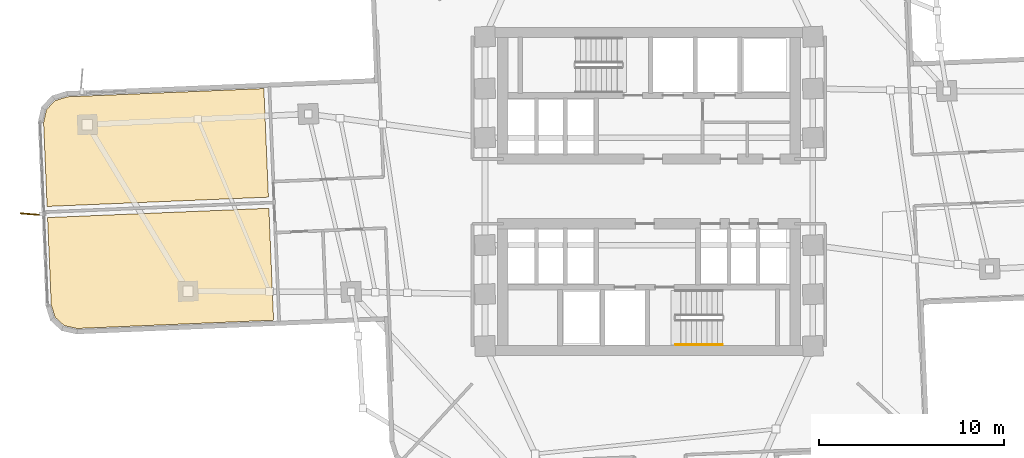
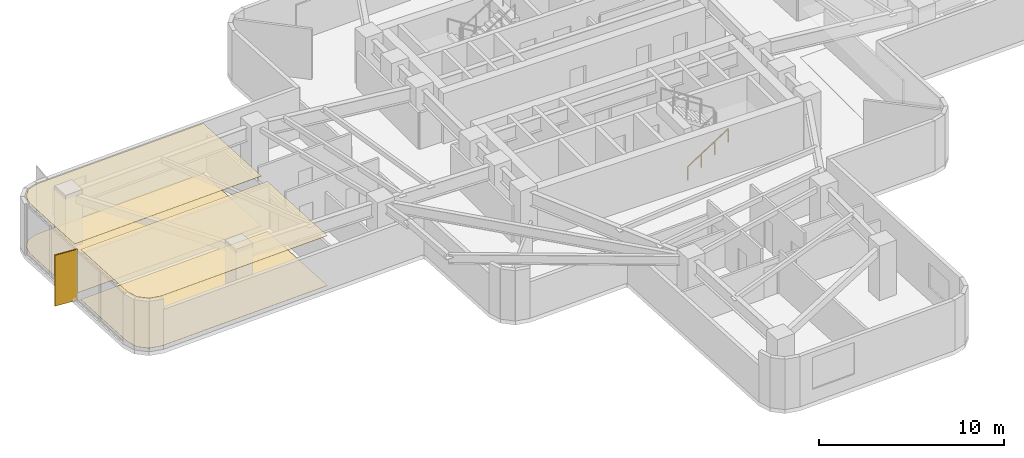
# One storey, part 12 of 15: 4 coverings, 1 railing, 1 shading device.
"""IFC4 building model written with IfcOpenShell, lengths in metres."""

import ifcopenshell
import ifcopenshell.guid

model = None  # the IFC model being written
_history = None  # IfcOwnerHistory: only IFC2X3 demands one
_inside = {}  # id of a spatial element -> (the spatial element, [elements in it])
_under = {}  # id of a project, library or spatial element -> (it, [spatial elements below it])
_declared = {}  # id of a project -> (the project, [libraries it declares])
_typed = {}  # id of a type object -> (the type object, [elements of that type])
_made_of = {}  # id of a material, layer set ... -> (it, [elements and type objects made of it])


def new_model(schema):
    """Start an empty IFC model of exactly this schema.

    Asked for "IFC4X3", IfcOpenShell would pick the latest addendum, in which some entities
    have other attributes; the version numbers below select the first issue.
    IFC2X3 requires an IfcOwnerHistory on every rooted entity: one is made here for all.
    """
    global model, _history
    if schema == "IFC4X3":
        model = ifcopenshell.file(schema_version=(4, 3, 0, 0))
    else:
        model = ifcopenshell.file(schema=schema)
    _inside.clear()
    _under.clear()
    _declared.clear()
    _typed.clear()
    _made_of.clear()
    _history = None
    if model.schema == "IFC2X3":
        org = make("IfcOrganization", Name="unknown")
        user = make(
            "IfcPersonAndOrganization",
            ThePerson=make("IfcPerson", FamilyName="unknown"),
            TheOrganization=org,
        )
        app = make(
            "IfcApplication",
            ApplicationDeveloper=org,
            Version="unknown",
            ApplicationFullName="unknown",
            ApplicationIdentifier="unknown",
        )
        _history = make(
            "IfcOwnerHistory",
            OwningUser=user,
            OwningApplication=app,
            ChangeAction="ADDED",
            CreationDate=0,
        )
    return model


def make(cls, **values):
    """One entity of the class cls with the attributes given. An attribute that is None is left unset."""
    return model.create_entity(
        cls, **{name: value for name, value in values.items() if value is not None}
    )


def rooted(cls, **values):
    """An entity with a GlobalId (a new one), such as an element, a storey or a relation."""
    return make(cls, GlobalId=ifcopenshell.guid.new(), OwnerHistory=_history, **values)


def si_unit(unit_type, name, prefix=None):
    """IfcSIUnit, for example si_unit("LENGTHUNIT", "METRE", prefix="MILLI")."""
    return make("IfcSIUnit", UnitType=unit_type, Prefix=prefix, Name=name)


def assignment(units):
    """IfcUnitAssignment: the units of a project."""
    return None if units is None else make("IfcUnitAssignment", Units=units)


def point(xyz):
    """IfcCartesianPoint."""
    return None if xyz is None else make("IfcCartesianPoint", Coordinates=xyz)


def direction(xyz):
    """IfcDirection."""
    return None if xyz is None else make("IfcDirection", DirectionRatios=xyz)


def frame(location, z_axis=None, x_axis=None):
    """IfcAxis2Placement3D, a coordinate frame: its origin and axes. An axis left out is left unset."""
    return make(
        "IfcAxis2Placement3D",
        Location=point(location),
        Axis=direction(z_axis),
        RefDirection=direction(x_axis),
    )


def frame_2d(location, x_axis=None):
    """IfcAxis2Placement2D, a coordinate frame in the plane: its origin and x axis."""
    return make(
        "IfcAxis2Placement2D", Location=point(location), RefDirection=direction(x_axis)
    )


def origin():
    """The frame at (0, 0, 0) with its axes left unset."""
    return frame((0.0, 0.0, 0.0))


def origin_2d():
    """The frame at (0, 0) in the plane with its x axis left unset."""
    return frame_2d((0.0, 0.0))


def place(relative_to, where):
    """IfcLocalPlacement: puts the frame where relative to a parent placement (None: the world)."""
    return make(
        "IfcLocalPlacement", PlacementRelTo=relative_to, RelativePlacement=where
    )


def context(
    kind, dimensions, precision=None, world=None, true_north=None, identifier=None
):
    """IfcGeometricRepresentationContext, for example the 3D "Model" context."""
    return make(
        "IfcGeometricRepresentationContext",
        ContextIdentifier=identifier,
        ContextType=kind,
        CoordinateSpaceDimension=dimensions,
        Precision=precision,
        WorldCoordinateSystem=world,
        TrueNorth=true_north,
    )


def subcontext(parent, identifier, kind, view, scale=None):
    """IfcGeometricRepresentationSubContext, for example "Body" below "Model"."""
    return make(
        "IfcGeometricRepresentationSubContext",
        ContextIdentifier=identifier,
        ContextType=kind,
        ParentContext=parent,
        TargetScale=scale,
        TargetView=view,
    )


def project(units=None, contexts=None):
    """IfcProject with its units and contexts."""
    return rooted(
        "IfcProject",
        Name="project",
        RepresentationContexts=contexts,
        UnitsInContext=assignment(units),
    )


def spatial(cls, under=None, at=None, **own):
    """A site, building, storey or space (cls), placed at a placement, below another one or the project."""
    s = rooted(cls, ObjectPlacement=at, **own)
    if under is not None:
        _under.setdefault(under.id(), (under, []))[1].append(s)
    return s


def polyline(points):
    """IfcPolyline through the points."""
    return make("IfcPolyline", Points=[point(p) for p in points])


def profile(cls, at=None, kind="AREA", **sizes):
    """A parametric profile (cls). Its sizes go by their IFC names, for example OverallWidth=200.0."""
    return make(cls, ProfileType=kind, Position=at, **sizes)


def rectangle(**sizes):
    """IfcRectangleProfileDef."""
    return profile("IfcRectangleProfileDef", **sizes)


def circle(**sizes):
    """IfcCircleProfileDef."""
    return profile("IfcCircleProfileDef", **sizes)


def outline(outer, holes=None, kind="AREA"):
    """IfcArbitraryClosedProfileDef: a profile drawn as a closed curve; with holes, ...WithVoids."""
    if holes is None:
        return make("IfcArbitraryClosedProfileDef", ProfileType=kind, OuterCurve=outer)
    return make(
        "IfcArbitraryProfileDefWithVoids",
        ProfileType=kind,
        OuterCurve=outer,
        InnerCurves=holes,
    )


def extrude(swept, where, along, depth):
    """IfcExtrudedAreaSolid: the profile swept, set in the frame where, extruded along a direction by depth."""
    return make(
        "IfcExtrudedAreaSolid",
        SweptArea=swept,
        Position=where,
        ExtrudedDirection=direction(along),
        Depth=depth,
    )


def shape(context_of_items, identifier, shape_type, items):
    """IfcShapeRepresentation: the items that make up one representation, for example the "Body"."""
    return make(
        "IfcShapeRepresentation",
        ContextOfItems=context_of_items,
        RepresentationIdentifier=identifier,
        RepresentationType=shape_type,
        Items=items,
    )


def material(Name=None, Category=None):
    """IfcMaterial."""
    return make("IfcMaterial", Name=Name, Category=Category)


def layer(
    of_material, thickness, ventilated=None, Name=None, Category=None, Priority=None
):
    """IfcMaterialLayer: one layer of a wall or slab, of a material (None: an air gap)."""
    return make(
        "IfcMaterialLayer",
        Material=of_material,
        LayerThickness=thickness,
        IsVentilated=ventilated,
        Name=Name,
        Category=Category,
        Priority=Priority,
    )


def layer_set(layers, Name=None):
    """IfcMaterialLayerSet."""
    return make("IfcMaterialLayerSet", MaterialLayers=layers, LayerSetName=Name)


def made_of(thing, what):
    """Note that an element or type object is made of a material, layer set ...; save() writes the relation."""
    if what is not None:
        _made_of.setdefault(what.id(), (what, []))[1].append(thing)
    return thing


def type_object(cls, material=None, **own):
    """A type object (cls), such as IfcWallType, which elements share."""
    return made_of(rooted(cls, **own), material)


def element(
    cls,
    number,
    at=None,
    inside=None,
    cuts=None,
    type_object=None,
    material=None,
    context=None,
    identifier="Body",
    shape_type=None,
    held_by="IfcProductDefinitionShape",
    body=None,
    shapes=None,
    **own,
):
    """One element of the class cls, such as IfcWall. Its Tag is "e" and its number.

    at: its placement. inside: the storey or other place that contains it. cuts: it is an
    opening in that element (IfcRelVoidsElement). A single representation is given by context,
    identifier, shape_type and body (its items); several are given by shapes. held_by: the class
    of the entity that holds the representations. save() writes the other relations.
    """
    e = rooted(cls, Tag="e%d" % number, ObjectPlacement=at, **own)
    if body is not None:
        shapes = [shape(context, identifier, shape_type, body)]
    if shapes is not None:
        e.Representation = make(held_by, Representations=shapes)
    if inside is not None:
        _inside.setdefault(inside.id(), (inside, []))[1].append(e)
    if cuts is not None:
        rooted(
            "IfcRelVoidsElement", RelatingBuildingElement=cuts, RelatedOpeningElement=e
        )
    if type_object is not None:
        _typed.setdefault(type_object.id(), (type_object, []))[1].append(e)
    return made_of(e, material)


def aggregate(whole, parts):
    """IfcRelAggregates: a whole, such as a stair, and the parts it consists of."""
    return rooted("IfcRelAggregates", RelatingObject=whole, RelatedObjects=parts)


def save(model, path):
    """Write the relations noted so far, then the file.

    IfcRelAggregates (storeys below a building ...), IfcRelContainedInSpatialStructure (elements
    in a storey), IfcRelDefinesByType, IfcRelAssociatesMaterial and IfcRelDeclares: one each for
    every whole, place, type object, material and project.
    """
    for whole, parts in _under.values():
        aggregate(whole, parts)
    for where, things in _inside.values():
        rooted(
            "IfcRelContainedInSpatialStructure",
            RelatedElements=things,
            RelatingStructure=where,
        )
    for kind, things in _typed.values():
        rooted("IfcRelDefinesByType", RelatedObjects=things, RelatingType=kind)
    for what, things in _made_of.values():
        rooted("IfcRelAssociatesMaterial", RelatedObjects=things, RelatingMaterial=what)
    for by, libraries in _declared.values():
        rooted("IfcRelDeclares", RelatingContext=by, RelatedDefinitions=libraries)
    model.write(path)


model = new_model("IFC4")

# Units and contexts
model_context = context("Model", 3, precision=1e-05, world=origin(), true_north=direction((0.0, 1.0)))
body_context = subcontext(model_context, "Body", "Model", "MODEL_VIEW")
ifc_project = project(units=[si_unit("LENGTHUNIT", "METRE"), si_unit("AREAUNIT", "SQUARE_METRE"), si_unit("VOLUMEUNIT", "CUBIC_METRE"), si_unit("PLANEANGLEUNIT", "RADIAN"), si_unit("MASSUNIT", "GRAM", prefix="KILO")], contexts=[model_context])

# Site, building, storey
site_placement = place(None, origin())
site = spatial("IfcSite", under=ifc_project, at=site_placement, CompositionType="ELEMENT")
building_placement = place(site_placement, origin())
building = spatial("IfcBuilding", under=site, at=building_placement, Name="Solmarez Civic Tower", CompositionType="ELEMENT")
storey_placement = place(building_placement, frame((0.0, 0.0, 46.080078125)))
storey = spatial("IfcBuildingStorey", under=building, at=storey_placement, Name="L11", CompositionType="ELEMENT", Elevation=46.080078125)

# Coverings
ifc_material_1 = material(Name="Perforated Mineral-Fibre Acoustic Ceiling")
ifc_layer_1 = layer(ifc_material_1, 0.02490234375)
ifc_layer_set_1 = layer_set([ifc_layer_1], Name="Perforated Mineral-Fibre Acoustic Ceiling")
covering_type_1 = type_object("IfcCoveringType", Name="COV-CEIL-ACOUSTIC", PredefinedType="CEILING", material=ifc_layer_set_1)
covering_1_placement = place(storey_placement, frame((0.0, 0.0, 3.294921875)))
element("IfcCovering", 1, at=covering_1_placement, inside=storey, type_object=covering_type_1, Name="L11 Suspended Acoustic Ceiling 1", PredefinedType="CEILING", context=body_context, shape_type="SweptSolid", body=[
    extrude(outline(polyline([(-32.468994140625, -1.410888671875), (-32.27197265625, -6.116943359375), (-32.06103515625, -6.79296875), (-31.569091796875, -7.2451171875), (-30.876953125, -7.39990234375), (-20.26708984375, -6.9541015625), (-20.52001953125, -0.909912109375), (-32.468994140625, -1.410888671875)])), origin(), (0.0, 0.0, 1.0), 0.02490234375),
])
covering_2_placement = place(storey_placement, frame((0.0, 0.0, 3.294921875)))
element("IfcCovering", 2, at=covering_2_placement, inside=storey, type_object=covering_type_1, Name="L11 Suspended Acoustic Ceiling 2", PredefinedType="CEILING", context=body_context, shape_type="SweptSolid", body=[
    extrude(outline(polyline([(-20.791015625, 5.553955078125), (-31.402099609375, 5.10888671875), (-32.077880859375, 4.89794921875), (-32.530029296875, 4.406005859375), (-32.68408203125, 3.715087890625), (-32.493896484375, -0.81103515625), (-20.544921875, -0.31005859375), (-20.791015625, 5.553955078125)])), origin(), (0.0, 0.0, 1.0), 0.02490234375),
])
ifc_material_2 = material(Name="Polished Tropical Stone Terrazzo Flooring", Category="masonry")
ifc_layer_2 = layer(ifc_material_2, 0.02001953125)
ifc_layer_set_2 = layer_set([ifc_layer_2], Name="Polished Tropical Stone Terrazzo Flooring")
covering_type_2 = type_object("IfcCoveringType", Name="COV-FLOOR-TERRAZZO", PredefinedType="FLOORING", material=ifc_layer_set_2)
covering_3_placement = place(storey_placement, origin())
element("IfcCovering", 3, at=covering_3_placement, inside=storey, type_object=covering_type_2, Name="L11 Terrazzo Floor Finish 1", PredefinedType="FLOORING", context=body_context, shape_type="SweptSolid", body=[
    extrude(outline(polyline([(-32.468994140625, -1.410888671875), (-32.27197265625, -6.116943359375), (-32.06103515625, -6.79296875), (-31.569091796875, -7.2451171875), (-30.876953125, -7.39990234375), (-20.26708984375, -6.9541015625), (-20.52001953125, -0.909912109375), (-32.468994140625, -1.410888671875)])), origin(), (0.0, 0.0, 1.0), 0.02001953125),
])
covering_4_placement = place(storey_placement, origin())
element("IfcCovering", 4, at=covering_4_placement, inside=storey, type_object=covering_type_2, Name="L11 Terrazzo Floor Finish 2", PredefinedType="FLOORING", context=body_context, shape_type="SweptSolid", body=[
    extrude(outline(polyline([(-20.791015625, 5.553955078125), (-31.402099609375, 5.10888671875), (-32.077880859375, 4.89794921875), (-32.530029296875, 4.406005859375), (-32.68408203125, 3.715087890625), (-32.493896484375, -0.81103515625), (-20.544921875, -0.31005859375), (-20.791015625, 5.553955078125)])), origin(), (0.0, 0.0, 1.0), 0.02001953125),
])

# Shading device
ifc_material_3 = material(Name="Bronze Anodised Aluminium EN AW-6063 T6", Category="aluminium")
ifc_layer_3 = layer(ifc_material_3, 0.06494140625)
ifc_layer_set_3 = layer_set([ifc_layer_3], Name="Bronze Anodised Aluminium EN AW-6063 T6")
shading_device_type = type_object("IfcShadingDeviceType", Name="FIN-BRONZE-Z12", PredefinedType="USERDEFINED", material=ifc_layer_set_3)
shading_device_placement = place(storey_placement, frame((-33.281982421875, -1.235107421875, -0.0400390625), z_axis=(0.0, 0.0, 1.0), x_axis=(-0.996792860627, 0.080024952375, 0.0)))
element("IfcShadingDevice", 5, at=shading_device_placement, inside=storey, type_object=shading_device_type, Name="L11 Anodised Bronze Solar Fin FIN-L11-01", ObjectType="FIN", PredefinedType="USERDEFINED", context=body_context, shape_type="SweptSolid", body=[
    extrude(rectangle(XDim=1.35009765625, YDim=0.06494140625, at=origin_2d()), origin(), (0.0, 0.0, 1.0), 3.360107421875),
])

# Railing
ifc_material_4 = material(Name="Brushed Stainless Steel Tube Handrail", Category="steel")
railing_type = type_object("IfcRailingType", Name="HANDRAIL-STAIR-900", PredefinedType="HANDRAIL", material=ifc_material_4)
railing_placement = place(storey_placement, frame((1.449951171875, -8.27001953125, 0.179931640625)))
element("IfcRailing", 6, at=railing_placement, inside=storey, type_object=railing_type, Name="L11 ST-2 stair handrail 1", PredefinedType="HANDRAIL", context=body_context, shape_type="SweptSolid", body=[
    extrude(circle(Radius=0.02392578125, at=origin_2d()), frame((0.0, 0.0, 0.8759765625), z_axis=(0.841199657755, 0.0, 0.540724639528), x_axis=(0.0, 1.0, 0.0)), (0.0, 0.0, 1.0), 2.995849609375),
    extrude(circle(Radius=0.02099609375, at=origin_2d()), origin(), (0.0, 0.0, 1.0), 0.851806640625),
    extrude(circle(Radius=0.02099609375, at=origin_2d()), frame((0.840087890625, 0.0, 0.5400390625)), (0.0, 0.0, 1.0), 0.851806640625),
    extrude(circle(Radius=0.02099609375, at=origin_2d()), frame((1.679931640625, 0.0, 1.079833984375)), (0.0, 0.0, 1.0), 0.851806640625),
    extrude(circle(Radius=0.02099609375, at=origin_2d()), frame((2.52001953125, 0.0, 1.619873046875)), (0.0, 0.0, 1.0), 0.851806640625),
])

save(model, "model.ifc")
